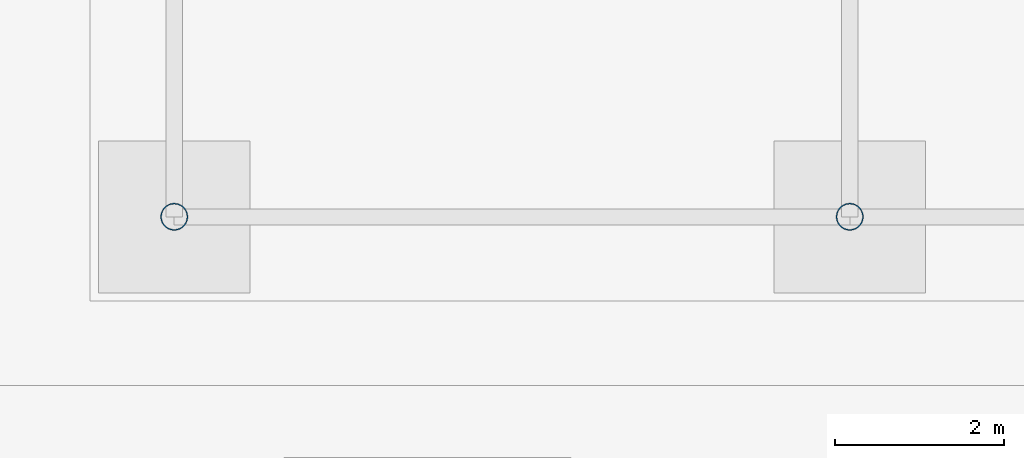
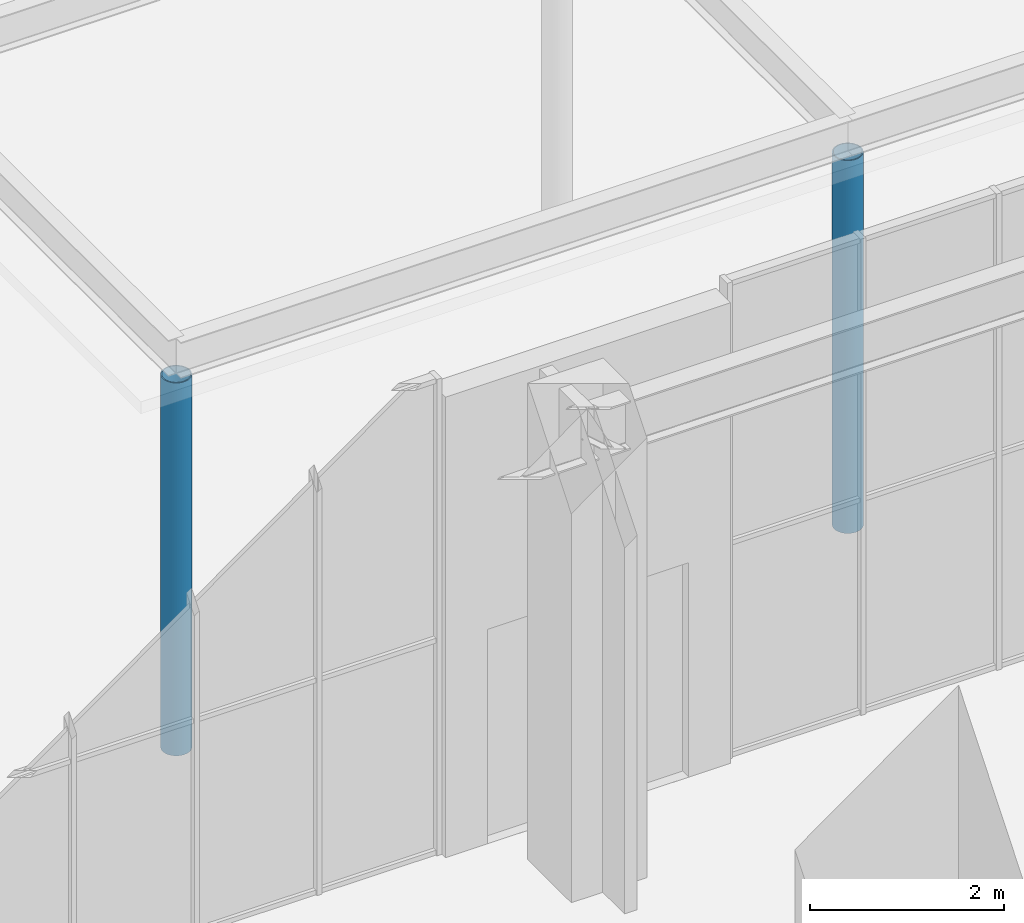
# One storey, part 2 of 43: 2 columns.
"""IFC4 building model written with IfcOpenShell, lengths in metres."""

from ifc_helpers import new_model, si_unit, direction, frame, origin, origin_2d, place, context, subcontext, project, spatial, hollow_circle, extrude, material, material_profile, profile_set, type_object, element, save


model = new_model("IFC4")

# Units and contexts
model_context = context("Model", 3, precision=1e-05, world=origin(), true_north=direction((0.0, 1.0)))
body_context = subcontext(model_context, "Body", "Model", "MODEL_VIEW")
ifc_project = project(units=[si_unit("LENGTHUNIT", "METRE"), si_unit("AREAUNIT", "SQUARE_METRE"), si_unit("VOLUMEUNIT", "CUBIC_METRE"), si_unit("PLANEANGLEUNIT", "RADIAN"), si_unit("MASSUNIT", "GRAM", prefix="KILO")], contexts=[model_context])

# Site, building, storey
site_placement = place(None, origin())
site = spatial("IfcSite", under=ifc_project, at=site_placement, CompositionType="ELEMENT")
building_placement = place(site_placement, origin())
building = spatial("IfcBuilding", under=site, at=building_placement, Name="Nakasero Lantern House", CompositionType="ELEMENT")
storey_placement = place(building_placement, origin())
storey = spatial("IfcBuildingStorey", under=building, at=storey_placement, Name="L00", CompositionType="ELEMENT", Elevation=0.0)

# Columns
ifc_material = material(Name="Steel S355", Category="steel")
ifc_material_profile = material_profile(ifc_material, hollow_circle(Radius=0.161865234375, WallThickness=0.012451171875, at=origin_2d()), Name="CHS 323.9x12.5")
ifc_profile_set = profile_set([ifc_material_profile], Name="Steel S355")
column_type = type_object("IfcColumnType", Name="Canopy column CHS 323.9x12.5", PredefinedType="COLUMN", material=ifc_profile_set)
for number, where, z_axis, x_axis, name in (
    (1, (-12.0, 31.0, -0.14990234375), (0.0, 0.0, 1.0), (1.0, 0.0, 0.0), "Canopy column 00"),
    (2, (-4.0, 31.0, -0.14990234375), (0.0, 0.0, 1.0), (1.0, 0.0, 0.0), "Canopy column 10"),
):
    element("IfcColumn", number, at=place(storey_placement, frame(where, z_axis=z_axis, x_axis=x_axis)), inside=storey, type_object=column_type, Name=name, PredefinedType="COLUMN", context=body_context, shape_type="SweptSolid", body=[
        extrude(hollow_circle(Radius=0.161865234375, WallThickness=0.012451171875, at=origin_2d()), origin(), (0.0, 0.0, 1.0), 4.696533203125),
    ])

save(model, "model.ifc")
